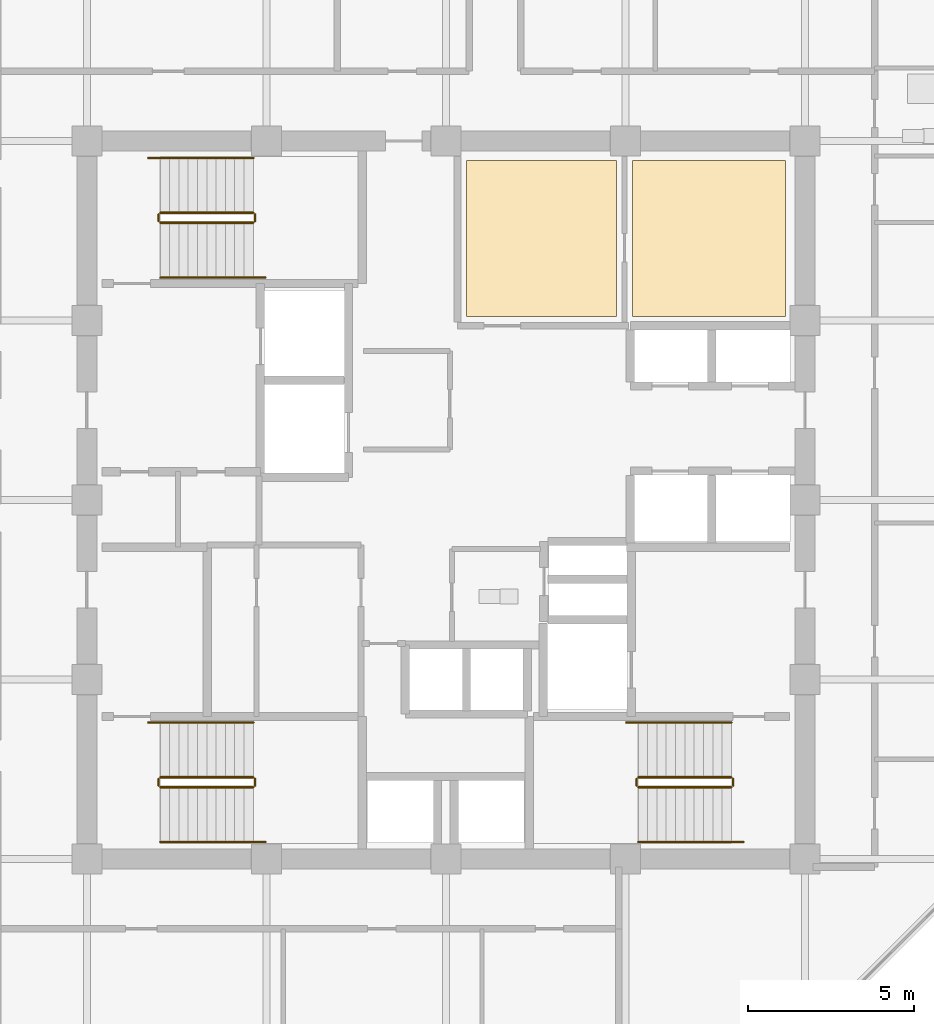
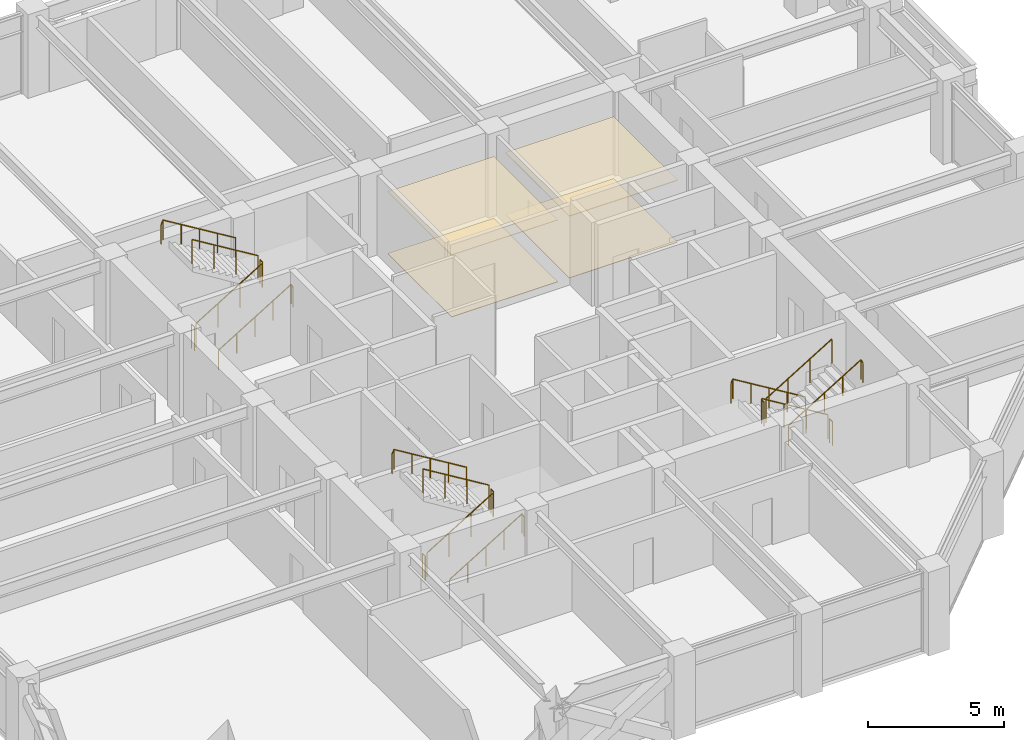
# One storey, part 30 of 32: 18 railings, 4 coverings.
"""IFC4 building model written with IfcOpenShell, lengths in metres."""

from ifc_helpers import new_model, si_unit, direction, frame, origin, origin_2d, place, context, subcontext, project, spatial, polyline, circle, outline, extrude, material, layer, layer_set, type_object, element, save


model = new_model("IFC4")

# Units and contexts
model_context = context("Model", 3, precision=1e-05, world=origin(), true_north=direction((0.0, 1.0)))
body_context = subcontext(model_context, "Body", "Model", "MODEL_VIEW")
ifc_project = project(units=[si_unit("LENGTHUNIT", "METRE"), si_unit("AREAUNIT", "SQUARE_METRE"), si_unit("VOLUMEUNIT", "CUBIC_METRE"), si_unit("PLANEANGLEUNIT", "RADIAN"), si_unit("MASSUNIT", "GRAM", prefix="KILO")], contexts=[model_context])

# Site, building, storey
site_placement = place(None, origin())
site = spatial("IfcSite", under=ifc_project, at=site_placement, CompositionType="ELEMENT")
building_placement = place(site_placement, origin())
building = spatial("IfcBuilding", under=site, at=building_placement, Name="Surkhivell Harbour Commons", CompositionType="ELEMENT")
storey_placement = place(building_placement, frame((0.0, 0.0, 186.0)))
storey = spatial("IfcBuildingStorey", under=building, at=storey_placement, Name="L48", CompositionType="ELEMENT", Elevation=186.0)

# Coverings
ifc_material_1 = material(Name="Perforated acoustic mineral-fibre ceiling tile", Category="other")
ifc_layer_1 = layer(ifc_material_1, 0.02490234375)
ifc_layer_set_1 = layer_set([ifc_layer_1], Name="Perforated acoustic mineral-fibre ceiling tile")
covering_type_1 = type_object("IfcCoveringType", Name="COV-CEIL-AC", PredefinedType="CEILING", material=ifc_layer_set_1)
covering_1_placement = place(storey_placement, frame((0.0, 0.0, 2.77490234375)))
element("IfcCovering", 1, at=covering_1_placement, inside=storey, type_object=covering_type_1, Name="L48 Suspended Acoustic Ceiling 1", PredefinedType="CEILING", context=body_context, shape_type="SweptSolid", body=[
    extrude(outline(polyline([(0.6201171875, 5.52001953125), (5.1298828125, 5.52001953125), (5.1298828125, 10.219970703125), (0.6201171875, 10.219970703125), (0.6201171875, 5.52001953125)])), origin(), (0.0, 0.0, 1.0), 0.025146484375),
])
ifc_material_2 = material(Name="Moisture-resistant gypsum acoustic ceiling board", Category="other")
ifc_layer_2 = layer(ifc_material_2, 0.030029296875)
ifc_layer_set_2 = layer_set([ifc_layer_2], Name="Moisture-resistant gypsum acoustic ceiling board")
covering_type_2 = type_object("IfcCoveringType", Name="COV-CEIL-GYP", PredefinedType="CEILING", material=ifc_layer_set_2)
covering_2_placement = place(storey_placement, frame((0.0, 0.0, 2.77001953125)))
element("IfcCovering", 2, at=covering_2_placement, inside=storey, type_object=covering_type_2, Name="L48 Suspended Acoustic Ceiling 2", PredefinedType="CEILING", context=body_context, shape_type="SweptSolid", body=[
    extrude(outline(polyline([(5.6201171875, 5.52001953125), (10.219970703125, 5.52001953125), (10.219970703125, 10.219970703125), (5.6201171875, 10.219970703125), (5.6201171875, 5.52001953125)])), origin(), (0.0, 0.0, 1.0), 0.030029296875),
])
ifc_material_3 = material(Name="Engineered acoustic oak timber flooring", Category="wood")
ifc_layer_3 = layer(ifc_material_3, 0.02001953125)
ifc_layer_set_3 = layer_set([ifc_layer_3], Name="Engineered acoustic oak timber flooring")
covering_type_3 = type_object("IfcCoveringType", Name="COV-FLR-TIM", PredefinedType="FLOORING", material=ifc_layer_set_3)
covering_3_placement = place(storey_placement, origin())
element("IfcCovering", 3, at=covering_3_placement, inside=storey, type_object=covering_type_3, Name="L48 Interior Floor Finish 1", PredefinedType="FLOORING", context=body_context, shape_type="SweptSolid", body=[
    extrude(outline(polyline([(0.6201171875, 5.52001953125), (5.1298828125, 5.52001953125), (5.1298828125, 10.219970703125), (0.6201171875, 10.219970703125), (0.6201171875, 5.52001953125)])), origin(), (0.0, 0.0, 1.0), 0.02001953125),
])
covering_4_placement = place(storey_placement, origin())
element("IfcCovering", 4, at=covering_4_placement, inside=storey, type_object=covering_type_3, Name="L48 Interior Floor Finish 2", PredefinedType="FLOORING", context=body_context, shape_type="SweptSolid", body=[
    extrude(outline(polyline([(5.6201171875, 5.52001953125), (10.219970703125, 5.52001953125), (10.219970703125, 10.219970703125), (5.6201171875, 10.219970703125), (5.6201171875, 5.52001953125)])), origin(), (0.0, 0.0, 1.0), 0.02001953125),
])

# Railings
ifc_material_4 = material(Name="Galvanised and painted steel S355 guard rail", Category="steel")
railing_type_1 = type_object("IfcRailingType", Name="RAL-ST-GRD1100", PredefinedType="GUARDRAIL", material=ifc_material_4)
railing_1_placement = place(storey_placement, frame((-8.590087890625, 8.340087890625, 0.17041015625)))
element("IfcRailing", 5, at=railing_1_placement, inside=storey, type_object=railing_type_1, Name="L48 ST1 stair guard 1", PredefinedType="GUARDRAIL", context=body_context, shape_type="SweptSolid", body=[
    extrude(circle(Radius=0.02392578125, at=origin_2d()), frame((0.0, 0.0, 1.076171875), z_axis=(0.854169791009, 0.0, 0.51999420009), x_axis=(0.0, 1.0, 0.0)), (0.0, 0.0, 1.0), 3.278076171875),
    extrude(circle(Radius=0.02099609375, at=origin_2d()), origin(), (0.0, 0.0, 1.0), 1.052001953125),
    extrude(circle(Radius=0.02099609375, at=origin_2d()), frame((0.933349609375, 0.0, 0.568115234375)), (0.0, 0.0, 1.0), 1.052001953125),
    extrude(circle(Radius=0.02099609375, at=origin_2d()), frame((1.86669921875, 0.0, 1.136474609375)), (0.0, 0.0, 1.0), 1.052001953125),
    extrude(circle(Radius=0.02099609375, at=origin_2d()), frame((2.800048828125, 0.0, 1.70458984375)), (0.0, 0.0, 1.0), 1.052001953125),
])
railing_2_placement = place(storey_placement, frame((-5.739990234375, 8.389892578125, 1.875)))
element("IfcRailing", 6, at=railing_2_placement, inside=storey, type_object=railing_type_1, Name="L48 ST1 stair guard 2", PredefinedType="GUARDRAIL", context=body_context, shape_type="SweptSolid", body=[
    extrude(circle(Radius=0.02392578125, at=origin_2d()), frame((0.0, 0.0, 1.076171875), z_axis=(0.0, 1.0, 0.0), x_axis=(-1.0, 0.0, 0.0)), (0.0, 0.0, 1.0), 0.2001953125),
    extrude(circle(Radius=0.02099609375, at=origin_2d()), origin(), (0.0, 0.0, 1.0), 1.052001953125),
    extrude(circle(Radius=0.02099609375, at=origin_2d()), frame((0.0, 0.2001953125, 0.0)), (0.0, 0.0, 1.0), 1.052001953125),
])
railing_3_placement = place(storey_placement, frame((-5.7900390625, 8.639892578125, 2.04541015625)))
element("IfcRailing", 7, at=railing_3_placement, inside=storey, type_object=railing_type_1, Name="L48 ST1 stair guard 3", PredefinedType="GUARDRAIL", context=body_context, shape_type="SweptSolid", body=[
    extrude(circle(Radius=0.02392578125, at=origin_2d()), frame((0.0, 0.0, 1.076171875), z_axis=(-0.854169791009, 0.0, 0.51999420009), x_axis=(0.0, -1.0, 0.0)), (0.0, 0.0, 1.0), 3.278076171875),
    extrude(circle(Radius=0.02099609375, at=origin_2d()), origin(), (0.0, 0.0, 1.0), 1.052001953125),
    extrude(circle(Radius=0.02099609375, at=origin_2d()), frame((-0.933349609375, 0.0, 0.568115234375)), (0.0, 0.0, 1.0), 1.052001953125),
    extrude(circle(Radius=0.02099609375, at=origin_2d()), frame((-1.86669921875, 0.0, 1.136474609375)), (0.0, 0.0, 1.0), 1.052001953125),
    extrude(circle(Radius=0.02099609375, at=origin_2d()), frame((-2.800048828125, 0.0, 1.70458984375)), (0.0, 0.0, 1.0), 1.052001953125),
])
railing_4_placement = place(storey_placement, frame((-8.639892578125, 8.389892578125, 0.0)))
element("IfcRailing", 8, at=railing_4_placement, inside=storey, type_object=railing_type_1, Name="L48 ST1 stair guard 4", PredefinedType="GUARDRAIL", context=body_context, shape_type="SweptSolid", body=[
    extrude(circle(Radius=0.02392578125, at=origin_2d()), frame((0.0, 0.0, 1.076171875), z_axis=(0.0, 1.0, 0.0), x_axis=(-1.0, 0.0, 0.0)), (0.0, 0.0, 1.0), 0.2001953125),
    extrude(circle(Radius=0.02099609375, at=origin_2d()), origin(), (0.0, 0.0, 1.0), 1.052001953125),
    extrude(circle(Radius=0.02099609375, at=origin_2d()), frame((0.0, 0.2001953125, 0.0)), (0.0, 0.0, 1.0), 1.052001953125),
])
railing_5_placement = place(storey_placement, frame((8.590087890625, -8.340087890625, 0.17041015625)))
element("IfcRailing", 9, at=railing_5_placement, inside=storey, type_object=railing_type_1, Name="L48 ST2 stair guard 1", PredefinedType="GUARDRAIL", context=body_context, shape_type="SweptSolid", body=[
    extrude(circle(Radius=0.02392578125, at=origin_2d()), frame((0.0, 0.0, 1.076171875), z_axis=(-0.854169791009, 0.0, 0.51999420009), x_axis=(0.0, -1.0, 0.0)), (0.0, 0.0, 1.0), 3.278076171875),
    extrude(circle(Radius=0.02099609375, at=origin_2d()), origin(), (0.0, 0.0, 1.0), 1.052001953125),
    extrude(circle(Radius=0.02099609375, at=origin_2d()), frame((-0.933349609375, 0.0, 0.568115234375)), (0.0, 0.0, 1.0), 1.052001953125),
    extrude(circle(Radius=0.02099609375, at=origin_2d()), frame((-1.86669921875, 0.0, 1.136474609375)), (0.0, 0.0, 1.0), 1.052001953125),
    extrude(circle(Radius=0.02099609375, at=origin_2d()), frame((-2.800048828125, 0.0, 1.70458984375)), (0.0, 0.0, 1.0), 1.052001953125),
])
railing_6_placement = place(storey_placement, frame((5.739990234375, -8.389892578125, 1.875)))
element("IfcRailing", 10, at=railing_6_placement, inside=storey, type_object=railing_type_1, Name="L48 ST2 stair guard 2", PredefinedType="GUARDRAIL", context=body_context, shape_type="SweptSolid", body=[
    extrude(circle(Radius=0.02392578125, at=origin_2d()), frame((0.0, 0.0, 1.076171875), z_axis=(0.0, -1.0, 0.0), x_axis=(1.0, 0.0, 0.0)), (0.0, 0.0, 1.0), 0.2001953125),
    extrude(circle(Radius=0.02099609375, at=origin_2d()), origin(), (0.0, 0.0, 1.0), 1.052001953125),
    extrude(circle(Radius=0.02099609375, at=origin_2d()), frame((0.0, -0.2001953125, 0.0)), (0.0, 0.0, 1.0), 1.052001953125),
])
railing_7_placement = place(storey_placement, frame((5.7900390625, -8.639892578125, 2.04541015625)))
element("IfcRailing", 11, at=railing_7_placement, inside=storey, type_object=railing_type_1, Name="L48 ST2 stair guard 3", PredefinedType="GUARDRAIL", context=body_context, shape_type="SweptSolid", body=[
    extrude(circle(Radius=0.02392578125, at=origin_2d()), frame((0.0, 0.0, 1.076171875), z_axis=(0.854169791009, 0.0, 0.51999420009), x_axis=(0.0, 1.0, 0.0)), (0.0, 0.0, 1.0), 3.278076171875),
    extrude(circle(Radius=0.02099609375, at=origin_2d()), origin(), (0.0, 0.0, 1.0), 1.052001953125),
    extrude(circle(Radius=0.02099609375, at=origin_2d()), frame((0.933349609375, 0.0, 0.568115234375)), (0.0, 0.0, 1.0), 1.052001953125),
    extrude(circle(Radius=0.02099609375, at=origin_2d()), frame((1.86669921875, 0.0, 1.136474609375)), (0.0, 0.0, 1.0), 1.052001953125),
    extrude(circle(Radius=0.02099609375, at=origin_2d()), frame((2.800048828125, 0.0, 1.70458984375)), (0.0, 0.0, 1.0), 1.052001953125),
])
railing_8_placement = place(storey_placement, frame((8.639892578125, -8.389892578125, 0.0)))
element("IfcRailing", 12, at=railing_8_placement, inside=storey, type_object=railing_type_1, Name="L48 ST2 stair guard 4", PredefinedType="GUARDRAIL", context=body_context, shape_type="SweptSolid", body=[
    extrude(circle(Radius=0.02392578125, at=origin_2d()), frame((0.0, 0.0, 1.076171875), z_axis=(0.0, -1.0, 0.0), x_axis=(1.0, 0.0, 0.0)), (0.0, 0.0, 1.0), 0.2001953125),
    extrude(circle(Radius=0.02099609375, at=origin_2d()), origin(), (0.0, 0.0, 1.0), 1.052001953125),
    extrude(circle(Radius=0.02099609375, at=origin_2d()), frame((0.0, -0.2001953125, 0.0)), (0.0, 0.0, 1.0), 1.052001953125),
])
railing_9_placement = place(storey_placement, frame((-8.590087890625, -8.639892578125, 0.17041015625)))
element("IfcRailing", 13, at=railing_9_placement, inside=storey, type_object=railing_type_1, Name="L48 ST3 stair guard 1", PredefinedType="GUARDRAIL", context=body_context, shape_type="SweptSolid", body=[
    extrude(circle(Radius=0.02392578125, at=origin_2d()), frame((0.0, 0.0, 1.076171875), z_axis=(0.854169791009, 0.0, 0.51999420009), x_axis=(0.0, 1.0, 0.0)), (0.0, 0.0, 1.0), 3.278076171875),
    extrude(circle(Radius=0.02099609375, at=origin_2d()), origin(), (0.0, 0.0, 1.0), 1.052001953125),
    extrude(circle(Radius=0.02099609375, at=origin_2d()), frame((0.933349609375, 0.0, 0.568115234375)), (0.0, 0.0, 1.0), 1.052001953125),
    extrude(circle(Radius=0.02099609375, at=origin_2d()), frame((1.86669921875, 0.0, 1.136474609375)), (0.0, 0.0, 1.0), 1.052001953125),
    extrude(circle(Radius=0.02099609375, at=origin_2d()), frame((2.800048828125, 0.0, 1.70458984375)), (0.0, 0.0, 1.0), 1.052001953125),
])
railing_10_placement = place(storey_placement, frame((-5.739990234375, -8.590087890625, 1.875)))
element("IfcRailing", 14, at=railing_10_placement, inside=storey, type_object=railing_type_1, Name="L48 ST3 stair guard 2", PredefinedType="GUARDRAIL", context=body_context, shape_type="SweptSolid", body=[
    extrude(circle(Radius=0.02392578125, at=origin_2d()), frame((0.0, 0.0, 1.076171875), z_axis=(0.0, 1.0, 0.0), x_axis=(-1.0, 0.0, 0.0)), (0.0, 0.0, 1.0), 0.2001953125),
    extrude(circle(Radius=0.02099609375, at=origin_2d()), origin(), (0.0, 0.0, 1.0), 1.052001953125),
    extrude(circle(Radius=0.02099609375, at=origin_2d()), frame((0.0, 0.2001953125, 0.0)), (0.0, 0.0, 1.0), 1.052001953125),
])
railing_11_placement = place(storey_placement, frame((-5.7900390625, -8.340087890625, 2.04541015625)))
element("IfcRailing", 15, at=railing_11_placement, inside=storey, type_object=railing_type_1, Name="L48 ST3 stair guard 3", PredefinedType="GUARDRAIL", context=body_context, shape_type="SweptSolid", body=[
    extrude(circle(Radius=0.02392578125, at=origin_2d()), frame((0.0, 0.0, 1.076171875), z_axis=(-0.854169791009, 0.0, 0.51999420009), x_axis=(0.0, -1.0, 0.0)), (0.0, 0.0, 1.0), 3.278076171875),
    extrude(circle(Radius=0.02099609375, at=origin_2d()), origin(), (0.0, 0.0, 1.0), 1.052001953125),
    extrude(circle(Radius=0.02099609375, at=origin_2d()), frame((-0.933349609375, 0.0, 0.568115234375)), (0.0, 0.0, 1.0), 1.052001953125),
    extrude(circle(Radius=0.02099609375, at=origin_2d()), frame((-1.86669921875, 0.0, 1.136474609375)), (0.0, 0.0, 1.0), 1.052001953125),
    extrude(circle(Radius=0.02099609375, at=origin_2d()), frame((-2.800048828125, 0.0, 1.70458984375)), (0.0, 0.0, 1.0), 1.052001953125),
])
railing_12_placement = place(storey_placement, frame((-8.639892578125, -8.590087890625, 0.0)))
element("IfcRailing", 16, at=railing_12_placement, inside=storey, type_object=railing_type_1, Name="L48 ST3 stair guard 4", PredefinedType="GUARDRAIL", context=body_context, shape_type="SweptSolid", body=[
    extrude(circle(Radius=0.02392578125, at=origin_2d()), frame((0.0, 0.0, 1.076171875), z_axis=(0.0, 1.0, 0.0), x_axis=(-1.0, 0.0, 0.0)), (0.0, 0.0, 1.0), 0.2001953125),
    extrude(circle(Radius=0.02099609375, at=origin_2d()), origin(), (0.0, 0.0, 1.0), 1.052001953125),
    extrude(circle(Radius=0.02099609375, at=origin_2d()), frame((0.0, 0.2001953125, 0.0)), (0.0, 0.0, 1.0), 1.052001953125),
])
ifc_material_5 = material(Name="Brushed stainless steel S355 handrail", Category="steel")
railing_type_2 = type_object("IfcRailingType", Name="RAL-ST-HND900", PredefinedType="HANDRAIL", material=ifc_material_5)
railing_13_placement = place(storey_placement, frame((-8.590087890625, 6.68994140625, 0.17041015625)))
element("IfcRailing", 17, at=railing_13_placement, inside=storey, type_object=railing_type_2, Name="L48 ST1 stair handrail 1", PredefinedType="HANDRAIL", context=body_context, shape_type="SweptSolid", body=[
    extrude(circle(Radius=0.02392578125, at=origin_2d()), frame((0.0, 0.0, 0.8759765625), z_axis=(0.854177636135, 0.0, 0.519981313056), x_axis=(0.0, 1.0, 0.0)), (0.0, 0.0, 1.0), 3.60595703125),
    extrude(circle(Radius=0.02392578125, at=origin_2d()), frame((3.080078125, 0.0, 2.7509765625), z_axis=(0.425297416671, 0.0, -0.905053648892), x_axis=(0.0, 1.0, 0.0)), (0.0, 0.0, 1.0), 0.188232421875),
    extrude(circle(Radius=0.02099609375, at=origin_2d()), origin(), (0.0, 0.0, 1.0), 0.851806640625),
    extrude(circle(Radius=0.02099609375, at=origin_2d()), frame((0.77001953125, 0.0, 0.46875)), (0.0, 0.0, 1.0), 0.851806640625),
    extrude(circle(Radius=0.02099609375, at=origin_2d()), frame((1.5400390625, 0.0, 0.9375)), (0.0, 0.0, 1.0), 0.851806640625),
    extrude(circle(Radius=0.02099609375, at=origin_2d()), frame((2.31005859375, 0.0, 1.40625)), (0.0, 0.0, 1.0), 0.851806640625),
    extrude(circle(Radius=0.02099609375, at=origin_2d()), frame((3.080078125, 0.0, 1.875)), (0.0, 0.0, 1.0), 0.851806640625),
    extrude(circle(Radius=0.02099609375, at=origin_2d()), frame((3.16015625, 0.0, 1.70458984375)), (0.0, 0.0, 1.0), 0.851806640625),
])
railing_14_placement = place(storey_placement, frame((-5.7900390625, 10.2900390625, 2.04541015625)))
element("IfcRailing", 18, at=railing_14_placement, inside=storey, type_object=railing_type_2, Name="L48 ST1 stair handrail 2", PredefinedType="HANDRAIL", context=body_context, shape_type="SweptSolid", body=[
    extrude(circle(Radius=0.02392578125, at=origin_2d()), frame((0.0, 0.0, 0.8759765625), z_axis=(-0.854177636135, 0.0, 0.519981313056), x_axis=(0.0, -1.0, 0.0)), (0.0, 0.0, 1.0), 3.60595703125),
    extrude(circle(Radius=0.02392578125, at=origin_2d()), frame((-3.080078125, 0.0, 2.7509765625), z_axis=(-0.424234432967, 0.0, -0.905552398199), x_axis=(0.0, -1.0, 0.0)), (0.0, 0.0, 1.0), 0.188232421875),
    extrude(circle(Radius=0.02099609375, at=origin_2d()), origin(), (0.0, 0.0, 1.0), 0.851806640625),
    extrude(circle(Radius=0.02099609375, at=origin_2d()), frame((-0.77001953125, 0.0, 0.46875)), (0.0, 0.0, 1.0), 0.851806640625),
    extrude(circle(Radius=0.02099609375, at=origin_2d()), frame((-1.5400390625, 0.0, 0.9375)), (0.0, 0.0, 1.0), 0.851806640625),
    extrude(circle(Radius=0.02099609375, at=origin_2d()), frame((-2.31005859375, 0.0, 1.40625)), (0.0, 0.0, 1.0), 0.851806640625),
    extrude(circle(Radius=0.02099609375, at=origin_2d()), frame((-3.080078125, 0.0, 1.875)), (0.0, 0.0, 1.0), 0.851806640625),
    extrude(circle(Radius=0.02099609375, at=origin_2d()), frame((-3.159912109375, 0.0, 1.70458984375)), (0.0, 0.0, 1.0), 0.851806640625),
])
railing_15_placement = place(storey_placement, frame((8.590087890625, -6.68994140625, 0.17041015625)))
element("IfcRailing", 19, at=railing_15_placement, inside=storey, type_object=railing_type_2, Name="L48 ST2 stair handrail 1", PredefinedType="HANDRAIL", context=body_context, shape_type="SweptSolid", body=[
    extrude(circle(Radius=0.02392578125, at=origin_2d()), frame((0.0, 0.0, 0.8759765625), z_axis=(-0.854177636135, 0.0, 0.519981313056), x_axis=(0.0, -1.0, 0.0)), (0.0, 0.0, 1.0), 3.60595703125),
    extrude(circle(Radius=0.02392578125, at=origin_2d()), frame((-3.080078125, 0.0, 2.7509765625), z_axis=(-0.425297416671, 0.0, -0.905053648892), x_axis=(0.0, -1.0, 0.0)), (0.0, 0.0, 1.0), 0.188232421875),
    extrude(circle(Radius=0.02099609375, at=origin_2d()), origin(), (0.0, 0.0, 1.0), 0.851806640625),
    extrude(circle(Radius=0.02099609375, at=origin_2d()), frame((-0.77001953125, 0.0, 0.46875)), (0.0, 0.0, 1.0), 0.851806640625),
    extrude(circle(Radius=0.02099609375, at=origin_2d()), frame((-1.5400390625, 0.0, 0.9375)), (0.0, 0.0, 1.0), 0.851806640625),
    extrude(circle(Radius=0.02099609375, at=origin_2d()), frame((-2.31005859375, 0.0, 1.40625)), (0.0, 0.0, 1.0), 0.851806640625),
    extrude(circle(Radius=0.02099609375, at=origin_2d()), frame((-3.080078125, 0.0, 1.875)), (0.0, 0.0, 1.0), 0.851806640625),
    extrude(circle(Radius=0.02099609375, at=origin_2d()), frame((-3.16015625, 0.0, 1.70458984375)), (0.0, 0.0, 1.0), 0.851806640625),
])
railing_16_placement = place(storey_placement, frame((5.7900390625, -10.2900390625, 2.04541015625)))
element("IfcRailing", 20, at=railing_16_placement, inside=storey, type_object=railing_type_2, Name="L48 ST2 stair handrail 2", PredefinedType="HANDRAIL", context=body_context, shape_type="SweptSolid", body=[
    extrude(circle(Radius=0.02392578125, at=origin_2d()), frame((0.0, 0.0, 0.8759765625), z_axis=(0.854177636135, 0.0, 0.519981313056), x_axis=(0.0, 1.0, 0.0)), (0.0, 0.0, 1.0), 3.60595703125),
    extrude(circle(Radius=0.02392578125, at=origin_2d()), frame((3.080078125, 0.0, 2.7509765625), z_axis=(0.424234432967, 0.0, -0.905552398199), x_axis=(0.0, 1.0, 0.0)), (0.0, 0.0, 1.0), 0.188232421875),
    extrude(circle(Radius=0.02099609375, at=origin_2d()), origin(), (0.0, 0.0, 1.0), 0.851806640625),
    extrude(circle(Radius=0.02099609375, at=origin_2d()), frame((0.77001953125, 0.0, 0.46875)), (0.0, 0.0, 1.0), 0.851806640625),
    extrude(circle(Radius=0.02099609375, at=origin_2d()), frame((1.5400390625, 0.0, 0.9375)), (0.0, 0.0, 1.0), 0.851806640625),
    extrude(circle(Radius=0.02099609375, at=origin_2d()), frame((2.31005859375, 0.0, 1.40625)), (0.0, 0.0, 1.0), 0.851806640625),
    extrude(circle(Radius=0.02099609375, at=origin_2d()), frame((3.080078125, 0.0, 1.875)), (0.0, 0.0, 1.0), 0.851806640625),
    extrude(circle(Radius=0.02099609375, at=origin_2d()), frame((3.159912109375, 0.0, 1.70458984375)), (0.0, 0.0, 1.0), 0.851806640625),
])
railing_17_placement = place(storey_placement, frame((-8.590087890625, -10.2900390625, 0.17041015625)))
element("IfcRailing", 21, at=railing_17_placement, inside=storey, type_object=railing_type_2, Name="L48 ST3 stair handrail 1", PredefinedType="HANDRAIL", context=body_context, shape_type="SweptSolid", body=[
    extrude(circle(Radius=0.02392578125, at=origin_2d()), frame((0.0, 0.0, 0.8759765625), z_axis=(0.854177636135, 0.0, 0.519981313056), x_axis=(0.0, 1.0, 0.0)), (0.0, 0.0, 1.0), 3.60595703125),
    extrude(circle(Radius=0.02392578125, at=origin_2d()), frame((3.080078125, 0.0, 2.7509765625), z_axis=(0.425297416671, 0.0, -0.905053648892), x_axis=(0.0, 1.0, 0.0)), (0.0, 0.0, 1.0), 0.188232421875),
    extrude(circle(Radius=0.02099609375, at=origin_2d()), origin(), (0.0, 0.0, 1.0), 0.851806640625),
    extrude(circle(Radius=0.02099609375, at=origin_2d()), frame((0.77001953125, 0.0, 0.46875)), (0.0, 0.0, 1.0), 0.851806640625),
    extrude(circle(Radius=0.02099609375, at=origin_2d()), frame((1.5400390625, 0.0, 0.9375)), (0.0, 0.0, 1.0), 0.851806640625),
    extrude(circle(Radius=0.02099609375, at=origin_2d()), frame((2.31005859375, 0.0, 1.40625)), (0.0, 0.0, 1.0), 0.851806640625),
    extrude(circle(Radius=0.02099609375, at=origin_2d()), frame((3.080078125, 0.0, 1.875)), (0.0, 0.0, 1.0), 0.851806640625),
    extrude(circle(Radius=0.02099609375, at=origin_2d()), frame((3.16015625, 0.0, 1.70458984375)), (0.0, 0.0, 1.0), 0.851806640625),
])
railing_18_placement = place(storey_placement, frame((-5.7900390625, -6.68994140625, 2.04541015625)))
element("IfcRailing", 22, at=railing_18_placement, inside=storey, type_object=railing_type_2, Name="L48 ST3 stair handrail 2", PredefinedType="HANDRAIL", context=body_context, shape_type="SweptSolid", body=[
    extrude(circle(Radius=0.02392578125, at=origin_2d()), frame((0.0, 0.0, 0.8759765625), z_axis=(-0.854177636135, 0.0, 0.519981313056), x_axis=(0.0, -1.0, 0.0)), (0.0, 0.0, 1.0), 3.60595703125),
    extrude(circle(Radius=0.02392578125, at=origin_2d()), frame((-3.080078125, 0.0, 2.7509765625), z_axis=(-0.424234432967, 0.0, -0.905552398199), x_axis=(0.0, -1.0, 0.0)), (0.0, 0.0, 1.0), 0.188232421875),
    extrude(circle(Radius=0.02099609375, at=origin_2d()), origin(), (0.0, 0.0, 1.0), 0.851806640625),
    extrude(circle(Radius=0.02099609375, at=origin_2d()), frame((-0.77001953125, 0.0, 0.46875)), (0.0, 0.0, 1.0), 0.851806640625),
    extrude(circle(Radius=0.02099609375, at=origin_2d()), frame((-1.5400390625, 0.0, 0.9375)), (0.0, 0.0, 1.0), 0.851806640625),
    extrude(circle(Radius=0.02099609375, at=origin_2d()), frame((-2.31005859375, 0.0, 1.40625)), (0.0, 0.0, 1.0), 0.851806640625),
    extrude(circle(Radius=0.02099609375, at=origin_2d()), frame((-3.080078125, 0.0, 1.875)), (0.0, 0.0, 1.0), 0.851806640625),
    extrude(circle(Radius=0.02099609375, at=origin_2d()), frame((-3.159912109375, 0.0, 1.70458984375)), (0.0, 0.0, 1.0), 0.851806640625),
])

save(model, "model.ifc")
